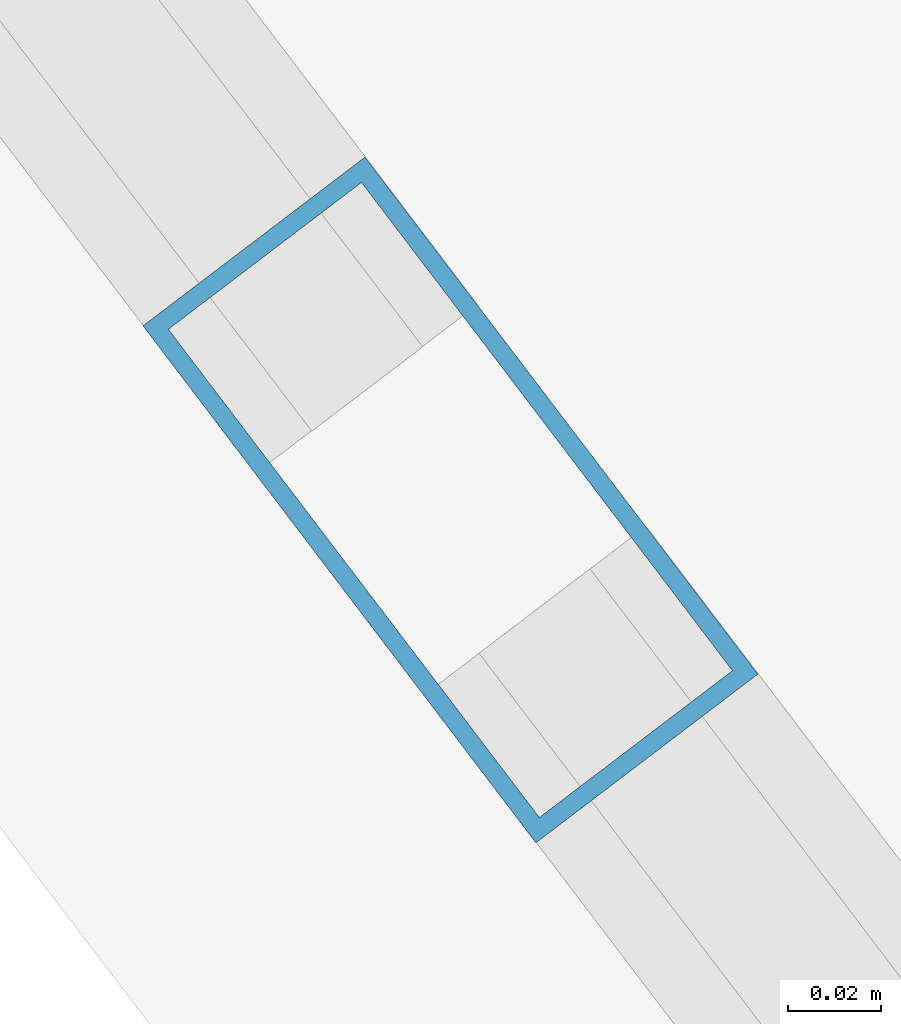
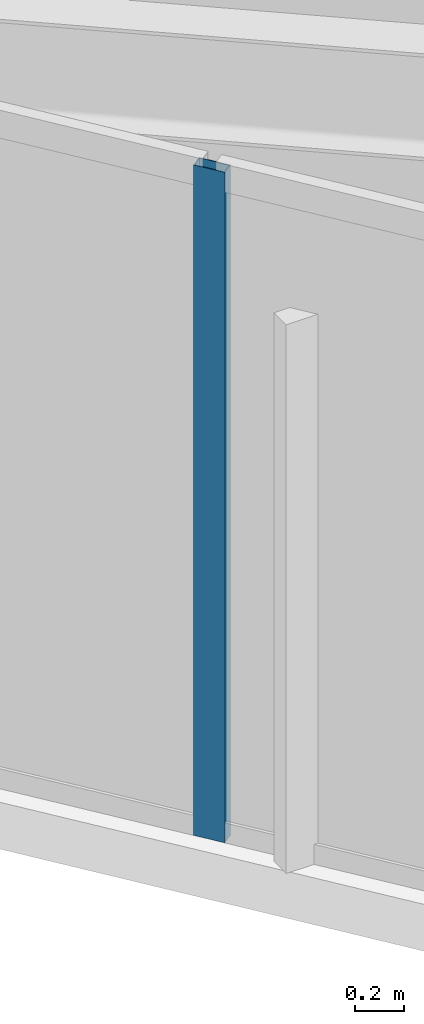
# One storey, part 3 of 16: 1 member, 1 element without a shape of its own.
"""IFC4 building model written with IfcOpenShell, lengths in metres."""

from ifc_helpers import new_model, si_unit, direction, frame, origin, origin_2d, place, context, subcontext, project, spatial, hollow_rectangle, extrude, material, layer, layer_set, material_profile, profile_set, type_object, element, aggregate, save


model = new_model("IFC4")

# Units and contexts
model_context = context("Model", 3, precision=1e-05, world=origin(), true_north=direction((0.0, 1.0)))
body_context = subcontext(model_context, "Body", "Model", "MODEL_VIEW")
ifc_project = project(units=[si_unit("LENGTHUNIT", "METRE"), si_unit("AREAUNIT", "SQUARE_METRE"), si_unit("VOLUMEUNIT", "CUBIC_METRE"), si_unit("PLANEANGLEUNIT", "RADIAN"), si_unit("MASSUNIT", "GRAM", prefix="KILO")], contexts=[model_context])

# Site, building, storey
site_placement = place(None, origin())
site = spatial("IfcSite", under=ifc_project, at=site_placement, CompositionType="ELEMENT")
building_placement = place(site_placement, origin())
building = spatial("IfcBuilding", under=site, at=building_placement, Name="Kravanh Interchange Tower", CompositionType="ELEMENT")
storey_placement = place(building_placement, frame((0.0, 0.0, 303.89990234375)))
storey = spatial("IfcBuildingStorey", under=building, at=storey_placement, Name="L75", CompositionType="ELEMENT", Elevation=303.89990234375)

# Curtain wall, member
ifc_material_1 = material(Name="Anodised Bronze Aluminium", Category="aluminium")
ifc_layer = layer(ifc_material_1, 0.179931640625)
ifc_layer_set = layer_set([ifc_layer], Name="Unitised Curtain Wall System CW-HTL Luxury Hotel")
curtain_wall_type = type_object("IfcCurtainWallType", Name="Unitised Curtain Wall System CW-HTL Luxury Hotel", PredefinedType="NOTDEFINED", material=ifc_layer_set)
curtain_wall_placement = place(storey_placement, origin())
curtain_wall = element("IfcCurtainWall", 1, at=curtain_wall_placement, inside=storey, type_object=curtain_wall_type, Name="L75 Unitised Curtain Wall CW-L75-04", PredefinedType="NOTDEFINED")
ifc_material_2 = material(Name="Anodised Bronze Aluminium", Category="aluminium")
ifc_material_profile = material_profile(ifc_material_2, hollow_rectangle(XDim=0.06005859375, YDim=0.139892578125, WallThickness=0.00390625, at=origin_2d()), Name="ALU60X140X4")
ifc_profile_set = profile_set([ifc_material_profile], Name="Anodised Bronze Aluminium")
member_type = type_object("IfcMemberType", Name="Curtain Wall Mullion ALU60X140X4 Bronze", PredefinedType="MULLION", material=ifc_profile_set)
member_placement = place(storey_placement, frame((48.7197265625, 27.140625, 0.0), z_axis=(0.0, 0.0, 1.0), x_axis=(-0.796161642797, -0.605083992962, 0.0)))
member = element("IfcMember", 2, at=member_placement, type_object=member_type, Name="CW-HTL mullion 3", PredefinedType="MULLION", context=body_context, shape_type="SweptSolid", body=[
    extrude(hollow_rectangle(XDim=0.06005859375, YDim=0.139892578125, WallThickness=0.00390625, at=origin_2d()), origin(), (0.0, 0.0, 1.0), 3.364990234375),
])
aggregate(curtain_wall, [member])

save(model, "model.ifc")
